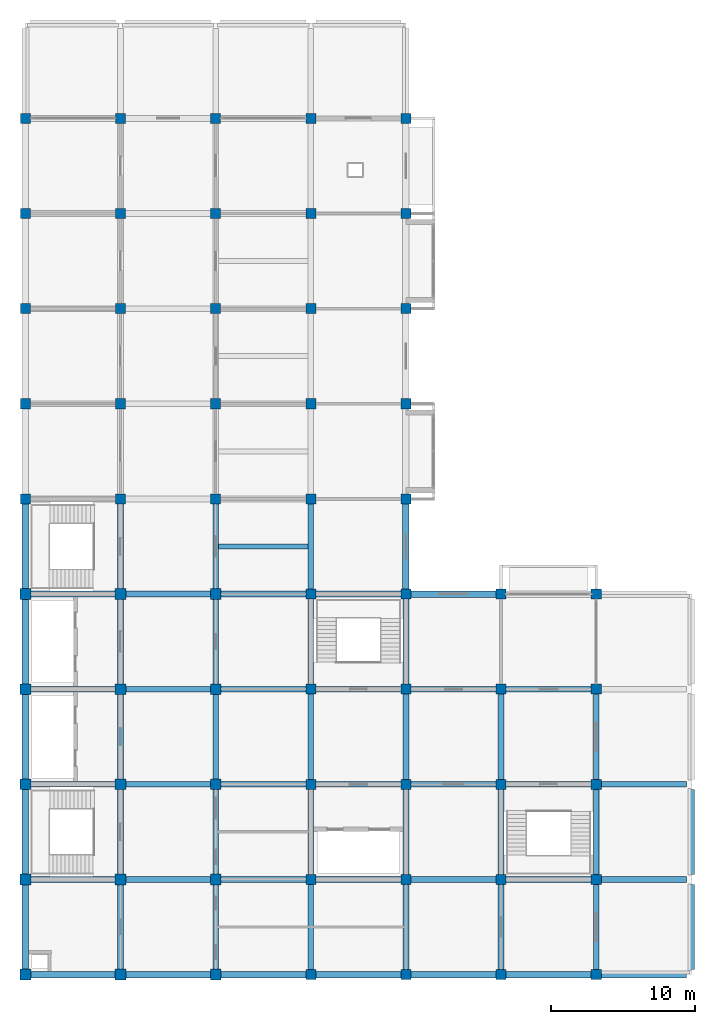
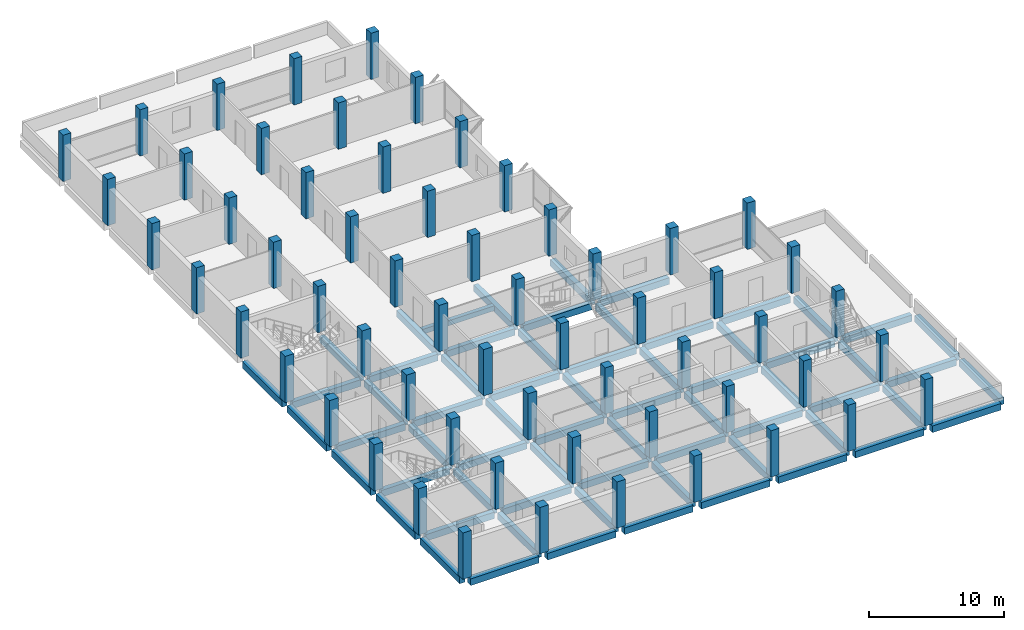
# One storey, part 1 of 10: 66 beams, 60 columns.
"""IFC4 building model written with IfcOpenShell, lengths in metres."""

from ifc_helpers import new_model, si_unit, direction, frame, origin, origin_2d, place, context, subcontext, project, spatial, rectangle, extrude, material, material_profile, profile_set, type_object, element, save


model = new_model("IFC4")

# Units and contexts
model_context = context("Model", 3, precision=1e-05, world=origin(), true_north=direction((0.0, 1.0)))
body_context = subcontext(model_context, "Body", "Model", "MODEL_VIEW")
ifc_project = project(units=[si_unit("LENGTHUNIT", "METRE"), si_unit("AREAUNIT", "SQUARE_METRE"), si_unit("VOLUMEUNIT", "CUBIC_METRE"), si_unit("PLANEANGLEUNIT", "RADIAN"), si_unit("MASSUNIT", "GRAM", prefix="KILO")], contexts=[model_context])

# Site, building, storey
site_placement = place(None, origin())
site = spatial("IfcSite", under=ifc_project, at=site_placement, CompositionType="ELEMENT")
building_placement = place(site_placement, origin())
building = spatial("IfcBuilding", under=site, at=building_placement, Name="Rusizi Kubbe Research Institute", CompositionType="ELEMENT")
storey_placement = place(building_placement, frame((0.0, 0.0, 43.800048828125)))
storey = spatial("IfcBuildingStorey", under=building, at=storey_placement, Name="L10", CompositionType="ELEMENT", Elevation=43.800048828125)

# Columns
ifc_material_1 = material(Name="Concrete C40/50", Category="concrete")
ifc_material_profile_1 = material_profile(ifc_material_1, rectangle(XDim=0.699951171875, YDim=0.699951171875, at=origin_2d()), Name="RC700x700")
ifc_profile_set_1 = profile_set([ifc_material_profile_1], Name="Concrete C40/50")
column_type_1 = type_object("IfcColumnType", Name="COL-700", PredefinedType="COLUMN", material=ifc_profile_set_1)
for number, where, z_axis, x_axis, name in (
    (1, (0.0, 33.0, 0.0), (0.0, 0.0, 1.0), (1.0, 0.0, 0.0), "Column 1F L10"),
    (2, (0.0, 39.60009765625, 0.0), (0.0, 0.0, 1.0), (1.0, 0.0, 0.0), "Column 1G L10"),
    (3, (0.0, 46.199951171875, 0.0), (0.0, 0.0, 1.0), (1.0, 0.0, 0.0), "Column 1H L10"),
    (4, (0.0, 52.800048828125, 0.0), (0.0, 0.0, 1.0), (1.0, 0.0, 0.0), "Column 1J L10"),
    (5, (0.0, 59.39990234375, 0.0), (0.0, 0.0, 1.0), (1.0, 0.0, 0.0), "Column 1K L10"),
    (6, (6.60009765625, 33.0, 0.0), (0.0, 0.0, 1.0), (1.0, 0.0, 0.0), "Column 2F L10"),
    (7, (6.60009765625, 39.60009765625, 0.0), (0.0, 0.0, 1.0), (1.0, 0.0, 0.0), "Column 2G L10"),
    (8, (6.60009765625, 46.199951171875, 0.0), (0.0, 0.0, 1.0), (1.0, 0.0, 0.0), "Column 2H L10"),
    (9, (6.60009765625, 52.800048828125, 0.0), (0.0, 0.0, 1.0), (1.0, 0.0, 0.0), "Column 2J L10"),
    (10, (6.60009765625, 59.39990234375, 0.0), (0.0, 0.0, 1.0), (1.0, 0.0, 0.0), "Column 2K L10"),
    (11, (13.199951171875, 33.0, 0.0), (0.0, 0.0, 1.0), (1.0, 0.0, 0.0), "Column 3F L10"),
    (12, (13.199951171875, 39.60009765625, 0.0), (0.0, 0.0, 1.0), (1.0, 0.0, 0.0), "Column 3G L10"),
    (13, (13.199951171875, 46.199951171875, 0.0), (0.0, 0.0, 1.0), (1.0, 0.0, 0.0), "Column 3H L10"),
    (14, (13.199951171875, 52.800048828125, 0.0), (0.0, 0.0, 1.0), (1.0, 0.0, 0.0), "Column 3J L10"),
    (15, (13.199951171875, 59.39990234375, 0.0), (0.0, 0.0, 1.0), (1.0, 0.0, 0.0), "Column 3K L10"),
    (16, (19.800048828125, 0.0, 0.0), (0.0, 0.0, 1.0), (1.0, 0.0, 0.0), "Column 4A L10"),
    (17, (19.800048828125, 6.60009765625, 0.0), (0.0, 0.0, 1.0), (1.0, 0.0, 0.0), "Column 4B L10"),
    (18, (19.800048828125, 13.199951171875, 0.0), (0.0, 0.0, 1.0), (1.0, 0.0, 0.0), "Column 4C L10"),
    (19, (19.800048828125, 19.800048828125, 0.0), (0.0, 0.0, 1.0), (1.0, 0.0, 0.0), "Column 4D L10"),
    (20, (19.800048828125, 26.39990234375, 0.0), (0.0, 0.0, 1.0), (1.0, 0.0, 0.0), "Column 4E L10"),
    (21, (19.800048828125, 33.0, 0.0), (0.0, 0.0, 1.0), (1.0, 0.0, 0.0), "Column 4F L10"),
    (22, (19.800048828125, 39.60009765625, 0.0), (0.0, 0.0, 1.0), (1.0, 0.0, 0.0), "Column 4G L10"),
    (23, (19.800048828125, 46.199951171875, 0.0), (0.0, 0.0, 1.0), (1.0, 0.0, 0.0), "Column 4H L10"),
    (24, (19.800048828125, 52.800048828125, 0.0), (0.0, 0.0, 1.0), (1.0, 0.0, 0.0), "Column 4J L10"),
    (25, (19.800048828125, 59.39990234375, 0.0), (0.0, 0.0, 1.0), (1.0, 0.0, 0.0), "Column 4K L10"),
    (26, (26.39990234375, 0.0, 0.0), (0.0, 0.0, 1.0), (1.0, 0.0, 0.0), "Column 5A L10"),
    (27, (26.39990234375, 6.60009765625, 0.0), (0.0, 0.0, 1.0), (1.0, 0.0, 0.0), "Column 5B L10"),
    (28, (26.39990234375, 13.199951171875, 0.0), (0.0, 0.0, 1.0), (1.0, 0.0, 0.0), "Column 5C L10"),
    (29, (26.39990234375, 19.800048828125, 0.0), (0.0, 0.0, 1.0), (1.0, 0.0, 0.0), "Column 5D L10"),
    (30, (26.39990234375, 26.39990234375, 0.0), (0.0, 0.0, 1.0), (1.0, 0.0, 0.0), "Column 5E L10"),
    (31, (26.39990234375, 33.0, 0.0), (0.0, 0.0, 1.0), (1.0, 0.0, 0.0), "Column 5F L10"),
    (32, (26.39990234375, 39.60009765625, 0.0), (0.0, 0.0, 1.0), (1.0, 0.0, 0.0), "Column 5G L10"),
    (33, (26.39990234375, 46.199951171875, 0.0), (0.0, 0.0, 1.0), (1.0, 0.0, 0.0), "Column 5H L10"),
    (34, (26.39990234375, 52.800048828125, 0.0), (0.0, 0.0, 1.0), (1.0, 0.0, 0.0), "Column 5J L10"),
    (35, (26.39990234375, 59.39990234375, 0.0), (0.0, 0.0, 1.0), (1.0, 0.0, 0.0), "Column 5K L10"),
    (36, (33.0, 0.0, 0.0), (0.0, 0.0, 1.0), (1.0, 0.0, 0.0), "Column 6A L10"),
    (37, (33.0, 6.60009765625, 0.0), (0.0, 0.0, 1.0), (1.0, 0.0, 0.0), "Column 6B L10"),
    (38, (33.0, 13.199951171875, 0.0), (0.0, 0.0, 1.0), (1.0, 0.0, 0.0), "Column 6C L10"),
    (39, (33.0, 19.800048828125, 0.0), (0.0, 0.0, 1.0), (1.0, 0.0, 0.0), "Column 6D L10"),
    (40, (33.0, 26.39990234375, 0.0), (0.0, 0.0, 1.0), (1.0, 0.0, 0.0), "Column 6E L10"),
    (41, (39.60009765625, 0.0, 0.0), (0.0, 0.0, 1.0), (1.0, 0.0, 0.0), "Column 7A L10"),
    (42, (39.60009765625, 6.60009765625, 0.0), (0.0, 0.0, 1.0), (1.0, 0.0, 0.0), "Column 7B L10"),
    (43, (39.60009765625, 13.199951171875, 0.0), (0.0, 0.0, 1.0), (1.0, 0.0, 0.0), "Column 7C L10"),
    (44, (39.60009765625, 19.800048828125, 0.0), (0.0, 0.0, 1.0), (1.0, 0.0, 0.0), "Column 7D L10"),
    (45, (39.60009765625, 26.39990234375, 0.0), (0.0, 0.0, 1.0), (1.0, 0.0, 0.0), "Column 7E L10"),
):
    element("IfcColumn", number, at=place(storey_placement, frame(where, z_axis=z_axis, x_axis=x_axis)), inside=storey, type_object=column_type_1, Name=name, PredefinedType="COLUMN", context=body_context, shape_type="SweptSolid", body=[
        extrude(rectangle(XDim=0.699951171875, YDim=0.699951171875, at=origin_2d()), origin(), (0.0, 0.0, 1.0), 4.199951171875),
    ])
ifc_material_2 = material(Name="Concrete C40/50", Category="concrete")
ifc_material_profile_2 = material_profile(ifc_material_2, rectangle(XDim=0.75, YDim=0.75, at=origin_2d()), Name="RC750x750")
ifc_profile_set_2 = profile_set([ifc_material_profile_2], Name="Concrete C40/50")
column_type_2 = type_object("IfcColumnType", Name="COL-750", PredefinedType="COLUMN", material=ifc_profile_set_2)
for number, where, z_axis, x_axis, name in (
    (46, (0.0, 0.0, 0.0), (0.0, 0.0, 1.0), (1.0, 0.0, 0.0), "Column 1A L10"),
    (47, (0.0, 6.60009765625, 0.0), (0.0, 0.0, 1.0), (1.0, 0.0, 0.0), "Column 1B L10"),
    (48, (0.0, 13.199951171875, 0.0), (0.0, 0.0, 1.0), (1.0, 0.0, 0.0), "Column 1C L10"),
    (49, (0.0, 19.800048828125, 0.0), (0.0, 0.0, 1.0), (1.0, 0.0, 0.0), "Column 1D L10"),
    (50, (0.0, 26.39990234375, 0.0), (0.0, 0.0, 1.0), (1.0, 0.0, 0.0), "Column 1E L10"),
    (51, (6.60009765625, 0.0, 0.0), (0.0, 0.0, 1.0), (1.0, 0.0, 0.0), "Column 2A L10"),
    (52, (6.60009765625, 6.60009765625, 0.0), (0.0, 0.0, 1.0), (1.0, 0.0, 0.0), "Column 2B L10"),
    (53, (6.60009765625, 13.199951171875, 0.0), (0.0, 0.0, 1.0), (1.0, 0.0, 0.0), "Column 2C L10"),
    (54, (6.60009765625, 19.800048828125, 0.0), (0.0, 0.0, 1.0), (1.0, 0.0, 0.0), "Column 2D L10"),
    (55, (6.60009765625, 26.39990234375, 0.0), (0.0, 0.0, 1.0), (1.0, 0.0, 0.0), "Column 2E L10"),
    (56, (13.199951171875, 0.0, 0.0), (0.0, 0.0, 1.0), (1.0, 0.0, 0.0), "Column 3A L10"),
    (57, (13.199951171875, 6.60009765625, 0.0), (0.0, 0.0, 1.0), (1.0, 0.0, 0.0), "Column 3B L10"),
    (58, (13.199951171875, 13.199951171875, 0.0), (0.0, 0.0, 1.0), (1.0, 0.0, 0.0), "Column 3C L10"),
    (59, (13.199951171875, 19.800048828125, 0.0), (0.0, 0.0, 1.0), (1.0, 0.0, 0.0), "Column 3D L10"),
    (60, (13.199951171875, 26.39990234375, 0.0), (0.0, 0.0, 1.0), (1.0, 0.0, 0.0), "Column 3E L10"),
):
    element("IfcColumn", number, at=place(storey_placement, frame(where, z_axis=z_axis, x_axis=x_axis)), inside=storey, type_object=column_type_2, Name=name, PredefinedType="COLUMN", context=body_context, shape_type="SweptSolid", body=[
        extrude(rectangle(XDim=0.75, YDim=0.75, at=origin_2d()), origin(), (0.0, 0.0, 1.0), 4.199951171875),
    ])

# Beams
ifc_material_3 = material(Name="Concrete C40/50", Category="concrete")
ifc_material_profile_3 = material_profile(ifc_material_3, rectangle(XDim=0.35009765625, YDim=0.449951171875, at=origin_2d()), Name="RC350x450")
ifc_profile_set_3 = profile_set([ifc_material_profile_3], Name="Concrete C40/50")
beam_type_1 = type_object("IfcBeamType", Name="BM-RC350x450", PredefinedType="JOIST", material=ifc_profile_set_3)
beam_1_placement = place(storey_placement, frame((13.39990234375, 29.699951171875, -0.53515625), z_axis=(1.0, 0.0, 0.0), x_axis=(0.0, 1.0, 0.0)))
element("IfcBeam", 61, at=beam_1_placement, inside=storey, type_object=beam_type_1, Name="Lab Stiffener Joist L10 (2,4)", PredefinedType="JOIST", context=body_context, shape_type="SweptSolid", body=[
    extrude(rectangle(XDim=0.35009765625, YDim=0.449951171875, at=origin_2d()), origin(), (0.0, 0.0, 1.0), 6.2001953125),
])
ifc_material_4 = material(Name="Concrete C40/50", Category="concrete")
ifc_material_profile_4 = material_profile(ifc_material_4, rectangle(XDim=0.39990234375, YDim=0.60009765625, at=origin_2d()), Name="RC400x600")
ifc_profile_set_4 = profile_set([ifc_material_profile_4], Name="Concrete C40/50")
beam_type_2 = type_object("IfcBeamType", Name="BM-RC400x600", PredefinedType="BEAM", material=ifc_profile_set_4)
for number, where, z_axis, x_axis, name in (
    (62, (0.375, 6.60009765625, -0.610107421875), (1.0, 0.0, 0.0), (0.0, 1.0, 0.0), "Grid Beam H L10 (0,1)"),
    (63, (0.375, 13.199951171875, -0.610107421875), (1.0, 0.0, 0.0), (0.0, 1.0, 0.0), "Grid Beam H L10 (0,2)"),
    (64, (0.375, 19.800048828125, -0.610107421875), (1.0, 0.0, 0.0), (0.0, 1.0, 0.0), "Grid Beam H L10 (0,3)"),
    (65, (0.375, 26.39990234375, -0.610107421875), (1.0, 0.0, 0.0), (0.0, 1.0, 0.0), "Grid Beam H L10 (0,4)"),
):
    element("IfcBeam", number, at=place(storey_placement, frame(where, z_axis=z_axis, x_axis=x_axis)), inside=storey, type_object=beam_type_2, Name=name, PredefinedType="BEAM", context=body_context, shape_type="SweptSolid", body=[
        extrude(rectangle(XDim=0.39990234375, YDim=0.60009765625, at=origin_2d()), origin(), (0.0, 0.0, 1.0), 5.85009765625),
    ])
for number, where, z_axis, x_axis, name in (
    (66, (6.97509765625, 6.60009765625, -0.610107421875), (1.0, 0.0, 0.0), (0.0, 1.0, 0.0), "Grid Beam H L10 (1,1)"),
    (67, (6.97509765625, 13.199951171875, -0.610107421875), (1.0, 0.0, 0.0), (0.0, 1.0, 0.0), "Grid Beam H L10 (1,2)"),
    (68, (6.97509765625, 19.800048828125, -0.610107421875), (1.0, 0.0, 0.0), (0.0, 1.0, 0.0), "Grid Beam H L10 (1,3)"),
    (69, (6.97509765625, 26.39990234375, -0.610107421875), (1.0, 0.0, 0.0), (0.0, 1.0, 0.0), "Grid Beam H L10 (1,4)"),
):
    element("IfcBeam", number, at=place(storey_placement, frame(where, z_axis=z_axis, x_axis=x_axis)), inside=storey, type_object=beam_type_2, Name=name, PredefinedType="BEAM", context=body_context, shape_type="SweptSolid", body=[
        extrude(rectangle(XDim=0.39990234375, YDim=0.60009765625, at=origin_2d()), origin(), (0.0, 0.0, 1.0), 5.849853515625),
    ])
for number, where, z_axis, x_axis, name in (
    (70, (13.574951171875, 6.60009765625, -0.610107421875), (1.0, 0.0, 0.0), (0.0, 1.0, 0.0), "Grid Beam H L10 (2,1)"),
    (71, (13.574951171875, 13.199951171875, -0.610107421875), (1.0, 0.0, 0.0), (0.0, 1.0, 0.0), "Grid Beam H L10 (2,2)"),
    (72, (13.574951171875, 19.800048828125, -0.610107421875), (1.0, 0.0, 0.0), (0.0, 1.0, 0.0), "Grid Beam H L10 (2,3)"),
    (73, (13.574951171875, 26.39990234375, -0.610107421875), (1.0, 0.0, 0.0), (0.0, 1.0, 0.0), "Grid Beam H L10 (2,4)"),
):
    element("IfcBeam", number, at=place(storey_placement, frame(where, z_axis=z_axis, x_axis=x_axis)), inside=storey, type_object=beam_type_2, Name=name, PredefinedType="BEAM", context=body_context, shape_type="SweptSolid", body=[
        extrude(rectangle(XDim=0.39990234375, YDim=0.60009765625, at=origin_2d()), origin(), (0.0, 0.0, 1.0), 5.875),
    ])
for number, where, z_axis, x_axis, name in (
    (74, (20.14990234375, 6.60009765625, -0.610107421875), (1.0, 0.0, 0.0), (0.0, 1.0, 0.0), "Grid Beam H L10 (3,1)"),
    (75, (20.14990234375, 13.199951171875, -0.610107421875), (1.0, 0.0, 0.0), (0.0, 1.0, 0.0), "Grid Beam H L10 (3,2)"),
    (76, (20.14990234375, 19.800048828125, -0.610107421875), (1.0, 0.0, 0.0), (0.0, 1.0, 0.0), "Grid Beam H L10 (3,3)"),
    (77, (20.14990234375, 26.39990234375, -0.610107421875), (1.0, 0.0, 0.0), (0.0, 1.0, 0.0), "Grid Beam H L10 (3,4)"),
):
    element("IfcBeam", number, at=place(storey_placement, frame(where, z_axis=z_axis, x_axis=x_axis)), inside=storey, type_object=beam_type_2, Name=name, PredefinedType="BEAM", context=body_context, shape_type="SweptSolid", body=[
        extrude(rectangle(XDim=0.39990234375, YDim=0.60009765625, at=origin_2d()), origin(), (0.0, 0.0, 1.0), 5.900146484375),
    ])
for number, where, z_axis, x_axis, name in (
    (78, (26.75, 6.60009765625, -0.610107421875), (1.0, 0.0, 0.0), (0.0, 1.0, 0.0), "Grid Beam H L10 (4,1)"),
    (79, (26.75, 13.199951171875, -0.610107421875), (1.0, 0.0, 0.0), (0.0, 1.0, 0.0), "Grid Beam H L10 (4,2)"),
    (80, (26.75, 19.800048828125, -0.610107421875), (1.0, 0.0, 0.0), (0.0, 1.0, 0.0), "Grid Beam H L10 (4,3)"),
    (81, (33.35009765625, 6.60009765625, -0.610107421875), (1.0, 0.0, 0.0), (0.0, 1.0, 0.0), "Grid Beam H L10 (5,1)"),
    (82, (33.35009765625, 13.199951171875, -0.610107421875), (1.0, 0.0, 0.0), (0.0, 1.0, 0.0), "Grid Beam H L10 (5,2)"),
    (83, (33.35009765625, 19.800048828125, -0.610107421875), (1.0, 0.0, 0.0), (0.0, 1.0, 0.0), "Grid Beam H L10 (5,3)"),
):
    element("IfcBeam", number, at=place(storey_placement, frame(where, z_axis=z_axis, x_axis=x_axis)), inside=storey, type_object=beam_type_2, Name=name, PredefinedType="BEAM", context=body_context, shape_type="SweptSolid", body=[
        extrude(rectangle(XDim=0.39990234375, YDim=0.60009765625, at=origin_2d()), origin(), (0.0, 0.0, 1.0), 5.89990234375),
    ])
for number, where, z_axis, x_axis, name in (
    (84, (39.949951171875, 6.60009765625, -0.610107421875), (1.0, 0.0, 0.0), (0.0, 1.0, 0.0), "Grid Beam H L10 (6,1)"),
    (85, (39.949951171875, 13.199951171875, -0.610107421875), (1.0, 0.0, 0.0), (0.0, 1.0, 0.0), "Grid Beam H L10 (6,2)"),
):
    element("IfcBeam", number, at=place(storey_placement, frame(where, z_axis=z_axis, x_axis=x_axis)), inside=storey, type_object=beam_type_2, Name=name, PredefinedType="BEAM", context=body_context, shape_type="SweptSolid", body=[
        extrude(rectangle(XDim=0.39990234375, YDim=0.60009765625, at=origin_2d()), origin(), (0.0, 0.0, 1.0), 5.900146484375),
    ])
beam_2_placement = place(storey_placement, frame((6.60009765625, 0.375, -0.610107421875), z_axis=(0.0, 1.0, 0.0), x_axis=(-1.0, 0.0, 0.0)))
element("IfcBeam", 86, at=beam_2_placement, inside=storey, type_object=beam_type_2, Name="Grid Beam V L10 (1,0)", PredefinedType="BEAM", context=body_context, shape_type="SweptSolid", body=[
    extrude(rectangle(XDim=0.39990234375, YDim=0.60009765625, at=origin_2d()), origin(), (0.0, 0.0, 1.0), 5.85009765625),
])
beam_3_placement = place(storey_placement, frame((6.60009765625, 6.97509765625, -0.610107421875), z_axis=(0.0, 1.0, 0.0), x_axis=(-1.0, 0.0, 0.0)))
element("IfcBeam", 87, at=beam_3_placement, inside=storey, type_object=beam_type_2, Name="Grid Beam V L10 (1,1)", PredefinedType="BEAM", context=body_context, shape_type="SweptSolid", body=[
    extrude(rectangle(XDim=0.39990234375, YDim=0.60009765625, at=origin_2d()), origin(), (0.0, 0.0, 1.0), 5.849853515625),
])
beam_4_placement = place(storey_placement, frame((6.60009765625, 13.574951171875, -0.610107421875), z_axis=(0.0, 1.0, 0.0), x_axis=(-1.0, 0.0, 0.0)))
element("IfcBeam", 88, at=beam_4_placement, inside=storey, type_object=beam_type_2, Name="Grid Beam V L10 (1,2)", PredefinedType="BEAM", context=body_context, shape_type="SweptSolid", body=[
    extrude(rectangle(XDim=0.39990234375, YDim=0.60009765625, at=origin_2d()), origin(), (0.0, 0.0, 1.0), 5.85009765625),
])
beam_5_placement = place(storey_placement, frame((6.60009765625, 20.175048828125, -0.610107421875), z_axis=(0.0, 1.0, 0.0), x_axis=(-1.0, 0.0, 0.0)))
element("IfcBeam", 89, at=beam_5_placement, inside=storey, type_object=beam_type_2, Name="Grid Beam V L10 (1,3)", PredefinedType="BEAM", context=body_context, shape_type="SweptSolid", body=[
    extrude(rectangle(XDim=0.39990234375, YDim=0.60009765625, at=origin_2d()), origin(), (0.0, 0.0, 1.0), 5.849853515625),
])
beam_6_placement = place(storey_placement, frame((6.60009765625, 26.77490234375, -0.610107421875), z_axis=(0.0, 1.0, 0.0), x_axis=(-1.0, 0.0, 0.0)))
element("IfcBeam", 90, at=beam_6_placement, inside=storey, type_object=beam_type_2, Name="Grid Beam V L10 (1,4)", PredefinedType="BEAM", context=body_context, shape_type="SweptSolid", body=[
    extrude(rectangle(XDim=0.39990234375, YDim=0.60009765625, at=origin_2d()), origin(), (0.0, 0.0, 1.0), 5.875),
])
beam_7_placement = place(storey_placement, frame((13.199951171875, 0.375, -0.610107421875), z_axis=(0.0, 1.0, 0.0), x_axis=(-1.0, 0.0, 0.0)))
element("IfcBeam", 91, at=beam_7_placement, inside=storey, type_object=beam_type_2, Name="Grid Beam V L10 (2,0)", PredefinedType="BEAM", context=body_context, shape_type="SweptSolid", body=[
    extrude(rectangle(XDim=0.39990234375, YDim=0.60009765625, at=origin_2d()), origin(), (0.0, 0.0, 1.0), 5.85009765625),
])
beam_8_placement = place(storey_placement, frame((13.199951171875, 6.97509765625, -0.610107421875), z_axis=(0.0, 1.0, 0.0), x_axis=(-1.0, 0.0, 0.0)))
element("IfcBeam", 92, at=beam_8_placement, inside=storey, type_object=beam_type_2, Name="Grid Beam V L10 (2,1)", PredefinedType="BEAM", context=body_context, shape_type="SweptSolid", body=[
    extrude(rectangle(XDim=0.39990234375, YDim=0.60009765625, at=origin_2d()), origin(), (0.0, 0.0, 1.0), 5.849853515625),
])
beam_9_placement = place(storey_placement, frame((13.199951171875, 13.574951171875, -0.610107421875), z_axis=(0.0, 1.0, 0.0), x_axis=(-1.0, 0.0, 0.0)))
element("IfcBeam", 93, at=beam_9_placement, inside=storey, type_object=beam_type_2, Name="Grid Beam V L10 (2,2)", PredefinedType="BEAM", context=body_context, shape_type="SweptSolid", body=[
    extrude(rectangle(XDim=0.39990234375, YDim=0.60009765625, at=origin_2d()), origin(), (0.0, 0.0, 1.0), 5.85009765625),
])
beam_10_placement = place(storey_placement, frame((13.199951171875, 20.175048828125, -0.610107421875), z_axis=(0.0, 1.0, 0.0), x_axis=(-1.0, 0.0, 0.0)))
element("IfcBeam", 94, at=beam_10_placement, inside=storey, type_object=beam_type_2, Name="Grid Beam V L10 (2,3)", PredefinedType="BEAM", context=body_context, shape_type="SweptSolid", body=[
    extrude(rectangle(XDim=0.39990234375, YDim=0.60009765625, at=origin_2d()), origin(), (0.0, 0.0, 1.0), 5.849853515625),
])
beam_11_placement = place(storey_placement, frame((13.199951171875, 26.77490234375, -0.610107421875), z_axis=(0.0, 1.0, 0.0), x_axis=(-1.0, 0.0, 0.0)))
element("IfcBeam", 95, at=beam_11_placement, inside=storey, type_object=beam_type_2, Name="Grid Beam V L10 (2,4)", PredefinedType="BEAM", context=body_context, shape_type="SweptSolid", body=[
    extrude(rectangle(XDim=0.39990234375, YDim=0.60009765625, at=origin_2d()), origin(), (0.0, 0.0, 1.0), 5.875),
])
beam_12_placement = place(storey_placement, frame((19.800048828125, 0.35009765625, -0.610107421875), z_axis=(0.0, 1.0, 0.0), x_axis=(-1.0, 0.0, 0.0)))
element("IfcBeam", 96, at=beam_12_placement, inside=storey, type_object=beam_type_2, Name="Grid Beam V L10 (3,0)", PredefinedType="BEAM", context=body_context, shape_type="SweptSolid", body=[
    extrude(rectangle(XDim=0.39990234375, YDim=0.60009765625, at=origin_2d()), origin(), (0.0, 0.0, 1.0), 5.89990234375),
])
beam_13_placement = place(storey_placement, frame((19.800048828125, 6.949951171875, -0.610107421875), z_axis=(0.0, 1.0, 0.0), x_axis=(-1.0, 0.0, 0.0)))
element("IfcBeam", 97, at=beam_13_placement, inside=storey, type_object=beam_type_2, Name="Grid Beam V L10 (3,1)", PredefinedType="BEAM", context=body_context, shape_type="SweptSolid", body=[
    extrude(rectangle(XDim=0.39990234375, YDim=0.60009765625, at=origin_2d()), origin(), (0.0, 0.0, 1.0), 5.900146484375),
])
beam_14_placement = place(storey_placement, frame((19.800048828125, 13.550048828125, -0.610107421875), z_axis=(0.0, 1.0, 0.0), x_axis=(-1.0, 0.0, 0.0)))
element("IfcBeam", 98, at=beam_14_placement, inside=storey, type_object=beam_type_2, Name="Grid Beam V L10 (3,2)", PredefinedType="BEAM", context=body_context, shape_type="SweptSolid", body=[
    extrude(rectangle(XDim=0.39990234375, YDim=0.60009765625, at=origin_2d()), origin(), (0.0, 0.0, 1.0), 5.89990234375),
])
beam_15_placement = place(storey_placement, frame((19.800048828125, 20.14990234375, -0.610107421875), z_axis=(0.0, 1.0, 0.0), x_axis=(-1.0, 0.0, 0.0)))
element("IfcBeam", 99, at=beam_15_placement, inside=storey, type_object=beam_type_2, Name="Grid Beam V L10 (3,3)", PredefinedType="BEAM", context=body_context, shape_type="SweptSolid", body=[
    extrude(rectangle(XDim=0.39990234375, YDim=0.60009765625, at=origin_2d()), origin(), (0.0, 0.0, 1.0), 5.900146484375),
])
for number, where, z_axis, x_axis, name in (
    (100, (19.800048828125, 26.75, -0.610107421875), (0.0, 1.0, 0.0), (-1.0, 0.0, 0.0), "Grid Beam V L10 (3,4)"),
    (101, (26.39990234375, 0.35009765625, -0.610107421875), (0.0, 1.0, 0.0), (-1.0, 0.0, 0.0), "Grid Beam V L10 (4,0)"),
):
    element("IfcBeam", number, at=place(storey_placement, frame(where, z_axis=z_axis, x_axis=x_axis)), inside=storey, type_object=beam_type_2, Name=name, PredefinedType="BEAM", context=body_context, shape_type="SweptSolid", body=[
        extrude(rectangle(XDim=0.39990234375, YDim=0.60009765625, at=origin_2d()), origin(), (0.0, 0.0, 1.0), 5.89990234375),
    ])
beam_16_placement = place(storey_placement, frame((26.39990234375, 6.949951171875, -0.610107421875), z_axis=(0.0, 1.0, 0.0), x_axis=(-1.0, 0.0, 0.0)))
element("IfcBeam", 102, at=beam_16_placement, inside=storey, type_object=beam_type_2, Name="Grid Beam V L10 (4,1)", PredefinedType="BEAM", context=body_context, shape_type="SweptSolid", body=[
    extrude(rectangle(XDim=0.39990234375, YDim=0.60009765625, at=origin_2d()), origin(), (0.0, 0.0, 1.0), 5.900146484375),
])
beam_17_placement = place(storey_placement, frame((26.39990234375, 13.550048828125, -0.610107421875), z_axis=(0.0, 1.0, 0.0), x_axis=(-1.0, 0.0, 0.0)))
element("IfcBeam", 103, at=beam_17_placement, inside=storey, type_object=beam_type_2, Name="Grid Beam V L10 (4,2)", PredefinedType="BEAM", context=body_context, shape_type="SweptSolid", body=[
    extrude(rectangle(XDim=0.39990234375, YDim=0.60009765625, at=origin_2d()), origin(), (0.0, 0.0, 1.0), 5.89990234375),
])
beam_18_placement = place(storey_placement, frame((26.39990234375, 20.14990234375, -0.610107421875), z_axis=(0.0, 1.0, 0.0), x_axis=(-1.0, 0.0, 0.0)))
element("IfcBeam", 104, at=beam_18_placement, inside=storey, type_object=beam_type_2, Name="Grid Beam V L10 (4,3)", PredefinedType="BEAM", context=body_context, shape_type="SweptSolid", body=[
    extrude(rectangle(XDim=0.39990234375, YDim=0.60009765625, at=origin_2d()), origin(), (0.0, 0.0, 1.0), 5.900146484375),
])
beam_19_placement = place(storey_placement, frame((33.0, 0.35009765625, -0.610107421875), z_axis=(0.0, 1.0, 0.0), x_axis=(-1.0, 0.0, 0.0)))
element("IfcBeam", 105, at=beam_19_placement, inside=storey, type_object=beam_type_2, Name="Grid Beam V L10 (5,0)", PredefinedType="BEAM", context=body_context, shape_type="SweptSolid", body=[
    extrude(rectangle(XDim=0.39990234375, YDim=0.60009765625, at=origin_2d()), origin(), (0.0, 0.0, 1.0), 5.89990234375),
])
beam_20_placement = place(storey_placement, frame((33.0, 6.949951171875, -0.610107421875), z_axis=(0.0, 1.0, 0.0), x_axis=(-1.0, 0.0, 0.0)))
element("IfcBeam", 106, at=beam_20_placement, inside=storey, type_object=beam_type_2, Name="Grid Beam V L10 (5,1)", PredefinedType="BEAM", context=body_context, shape_type="SweptSolid", body=[
    extrude(rectangle(XDim=0.39990234375, YDim=0.60009765625, at=origin_2d()), origin(), (0.0, 0.0, 1.0), 5.900146484375),
])
for number, where, z_axis, x_axis, name in (
    (107, (33.0, 13.550048828125, -0.610107421875), (0.0, 1.0, 0.0), (-1.0, 0.0, 0.0), "Grid Beam V L10 (5,2)"),
    (108, (39.60009765625, 0.35009765625, -0.610107421875), (0.0, 1.0, 0.0), (-1.0, 0.0, 0.0), "Grid Beam V L10 (6,0)"),
):
    element("IfcBeam", number, at=place(storey_placement, frame(where, z_axis=z_axis, x_axis=x_axis)), inside=storey, type_object=beam_type_2, Name=name, PredefinedType="BEAM", context=body_context, shape_type="SweptSolid", body=[
        extrude(rectangle(XDim=0.39990234375, YDim=0.60009765625, at=origin_2d()), origin(), (0.0, 0.0, 1.0), 5.89990234375),
    ])
beam_21_placement = place(storey_placement, frame((39.60009765625, 6.949951171875, -0.610107421875), z_axis=(0.0, 1.0, 0.0), x_axis=(-1.0, 0.0, 0.0)))
element("IfcBeam", 109, at=beam_21_placement, inside=storey, type_object=beam_type_2, Name="Grid Beam V L10 (6,1)", PredefinedType="BEAM", context=body_context, shape_type="SweptSolid", body=[
    extrude(rectangle(XDim=0.39990234375, YDim=0.60009765625, at=origin_2d()), origin(), (0.0, 0.0, 1.0), 5.900146484375),
])
beam_22_placement = place(storey_placement, frame((39.60009765625, 13.550048828125, -0.610107421875), z_axis=(0.0, 1.0, 0.0), x_axis=(-1.0, 0.0, 0.0)))
element("IfcBeam", 110, at=beam_22_placement, inside=storey, type_object=beam_type_2, Name="Grid Beam V L10 (6,2)", PredefinedType="BEAM", context=body_context, shape_type="SweptSolid", body=[
    extrude(rectangle(XDim=0.39990234375, YDim=0.60009765625, at=origin_2d()), origin(), (0.0, 0.0, 1.0), 5.89990234375),
])
ifc_material_5 = material(Name="Concrete C40/50", Category="concrete")
ifc_material_profile_5 = material_profile(ifc_material_5, rectangle(XDim=0.449951171875, YDim=0.60009765625, at=origin_2d()), Name="RC450x600")
ifc_profile_set_5 = profile_set([ifc_material_profile_5], Name="Concrete C40/50")
beam_type_3 = type_object("IfcBeamType", Name="BM-RC450x600", PredefinedType="SPANDREL", material=ifc_profile_set_5)
beam_23_placement = place(storey_placement, frame((0.375, 0.0, -0.610107421875), z_axis=(1.0, 0.0, 0.0), x_axis=(0.0, 1.0, 0.0)))
element("IfcBeam", 111, at=beam_23_placement, inside=storey, type_object=beam_type_3, Name="Grid Beam H L10 (0,0)", PredefinedType="SPANDREL", context=body_context, shape_type="SweptSolid", body=[
    extrude(rectangle(XDim=0.449951171875, YDim=0.60009765625, at=origin_2d()), origin(), (0.0, 0.0, 1.0), 5.85009765625),
])
beam_24_placement = place(storey_placement, frame((6.97509765625, 0.0, -0.610107421875), z_axis=(1.0, 0.0, 0.0), x_axis=(0.0, 1.0, 0.0)))
element("IfcBeam", 112, at=beam_24_placement, inside=storey, type_object=beam_type_3, Name="Grid Beam H L10 (1,0)", PredefinedType="SPANDREL", context=body_context, shape_type="SweptSolid", body=[
    extrude(rectangle(XDim=0.449951171875, YDim=0.60009765625, at=origin_2d()), origin(), (0.0, 0.0, 1.0), 5.849853515625),
])
beam_25_placement = place(storey_placement, frame((13.574951171875, 0.0, -0.610107421875), z_axis=(1.0, 0.0, 0.0), x_axis=(0.0, 1.0, 0.0)))
element("IfcBeam", 113, at=beam_25_placement, inside=storey, type_object=beam_type_3, Name="Grid Beam H L10 (2,0)", PredefinedType="SPANDREL", context=body_context, shape_type="SweptSolid", body=[
    extrude(rectangle(XDim=0.449951171875, YDim=0.60009765625, at=origin_2d()), origin(), (0.0, 0.0, 1.0), 5.875),
])
beam_26_placement = place(storey_placement, frame((20.14990234375, 0.0, -0.610107421875), z_axis=(1.0, 0.0, 0.0), x_axis=(0.0, 1.0, 0.0)))
element("IfcBeam", 114, at=beam_26_placement, inside=storey, type_object=beam_type_3, Name="Grid Beam H L10 (3,0)", PredefinedType="SPANDREL", context=body_context, shape_type="SweptSolid", body=[
    extrude(rectangle(XDim=0.449951171875, YDim=0.60009765625, at=origin_2d()), origin(), (0.0, 0.0, 1.0), 5.900146484375),
])
for number, where, z_axis, x_axis, name in (
    (115, (26.75, 0.0, -0.610107421875), (1.0, 0.0, 0.0), (0.0, 1.0, 0.0), "Grid Beam H L10 (4,0)"),
    (116, (26.75, 26.39990234375, -0.610107421875), (1.0, 0.0, 0.0), (0.0, 1.0, 0.0), "Grid Beam H L10 (4,4)"),
    (117, (33.35009765625, 0.0, -0.610107421875), (1.0, 0.0, 0.0), (0.0, 1.0, 0.0), "Grid Beam H L10 (5,0)"),
):
    element("IfcBeam", number, at=place(storey_placement, frame(where, z_axis=z_axis, x_axis=x_axis)), inside=storey, type_object=beam_type_3, Name=name, PredefinedType="SPANDREL", context=body_context, shape_type="SweptSolid", body=[
        extrude(rectangle(XDim=0.449951171875, YDim=0.60009765625, at=origin_2d()), origin(), (0.0, 0.0, 1.0), 5.89990234375),
    ])
beam_27_placement = place(storey_placement, frame((39.949951171875, 0.0, -0.610107421875), z_axis=(1.0, 0.0, 0.0), x_axis=(0.0, 1.0, 0.0)))
element("IfcBeam", 118, at=beam_27_placement, inside=storey, type_object=beam_type_3, Name="Grid Beam H L10 (6,0)", PredefinedType="SPANDREL", context=body_context, shape_type="SweptSolid", body=[
    extrude(rectangle(XDim=0.449951171875, YDim=0.60009765625, at=origin_2d()), origin(), (0.0, 0.0, 1.0), 5.900146484375),
])
beam_28_placement = place(storey_placement, frame((0.0, 0.375, -0.610107421875), z_axis=(0.0, 1.0, 0.0), x_axis=(-1.0, 0.0, 0.0)))
element("IfcBeam", 119, at=beam_28_placement, inside=storey, type_object=beam_type_3, Name="Grid Beam V L10 (0,0)", PredefinedType="SPANDREL", context=body_context, shape_type="SweptSolid", body=[
    extrude(rectangle(XDim=0.449951171875, YDim=0.60009765625, at=origin_2d()), origin(), (0.0, 0.0, 1.0), 5.85009765625),
])
beam_29_placement = place(storey_placement, frame((0.0, 6.97509765625, -0.610107421875), z_axis=(0.0, 1.0, 0.0), x_axis=(-1.0, 0.0, 0.0)))
element("IfcBeam", 120, at=beam_29_placement, inside=storey, type_object=beam_type_3, Name="Grid Beam V L10 (0,1)", PredefinedType="SPANDREL", context=body_context, shape_type="SweptSolid", body=[
    extrude(rectangle(XDim=0.449951171875, YDim=0.60009765625, at=origin_2d()), origin(), (0.0, 0.0, 1.0), 5.849853515625),
])
beam_30_placement = place(storey_placement, frame((0.0, 13.574951171875, -0.610107421875), z_axis=(0.0, 1.0, 0.0), x_axis=(-1.0, 0.0, 0.0)))
element("IfcBeam", 121, at=beam_30_placement, inside=storey, type_object=beam_type_3, Name="Grid Beam V L10 (0,2)", PredefinedType="SPANDREL", context=body_context, shape_type="SweptSolid", body=[
    extrude(rectangle(XDim=0.449951171875, YDim=0.60009765625, at=origin_2d()), origin(), (0.0, 0.0, 1.0), 5.85009765625),
])
beam_31_placement = place(storey_placement, frame((0.0, 20.175048828125, -0.610107421875), z_axis=(0.0, 1.0, 0.0), x_axis=(-1.0, 0.0, 0.0)))
element("IfcBeam", 122, at=beam_31_placement, inside=storey, type_object=beam_type_3, Name="Grid Beam V L10 (0,3)", PredefinedType="SPANDREL", context=body_context, shape_type="SweptSolid", body=[
    extrude(rectangle(XDim=0.449951171875, YDim=0.60009765625, at=origin_2d()), origin(), (0.0, 0.0, 1.0), 5.849853515625),
])
beam_32_placement = place(storey_placement, frame((0.0, 26.77490234375, -0.610107421875), z_axis=(0.0, 1.0, 0.0), x_axis=(-1.0, 0.0, 0.0)))
element("IfcBeam", 123, at=beam_32_placement, inside=storey, type_object=beam_type_3, Name="Grid Beam V L10 (0,4)", PredefinedType="SPANDREL", context=body_context, shape_type="SweptSolid", body=[
    extrude(rectangle(XDim=0.449951171875, YDim=0.60009765625, at=origin_2d()), origin(), (0.0, 0.0, 1.0), 5.875),
])
for number, where, z_axis, x_axis, name in (
    (124, (26.39990234375, 26.75, -0.610107421875), (0.0, 1.0, 0.0), (-1.0, 0.0, 0.0), "Grid Beam V L10 (4,4)"),
    (125, (46.199951171875, 0.35009765625, -0.610107421875), (0.0, 1.0, 0.0), (-1.0, 0.0, 0.0), "Grid Beam V L10 (7,0)"),
):
    element("IfcBeam", number, at=place(storey_placement, frame(where, z_axis=z_axis, x_axis=x_axis)), inside=storey, type_object=beam_type_3, Name=name, PredefinedType="SPANDREL", context=body_context, shape_type="SweptSolid", body=[
        extrude(rectangle(XDim=0.449951171875, YDim=0.60009765625, at=origin_2d()), origin(), (0.0, 0.0, 1.0), 5.89990234375),
    ])
beam_33_placement = place(storey_placement, frame((46.199951171875, 6.949951171875, -0.610107421875), z_axis=(0.0, 1.0, 0.0), x_axis=(-1.0, 0.0, 0.0)))
element("IfcBeam", 126, at=beam_33_placement, inside=storey, type_object=beam_type_3, Name="Grid Beam V L10 (7,1)", PredefinedType="SPANDREL", context=body_context, shape_type="SweptSolid", body=[
    extrude(rectangle(XDim=0.449951171875, YDim=0.60009765625, at=origin_2d()), origin(), (0.0, 0.0, 1.0), 5.900146484375),
])

save(model, "model.ifc")
